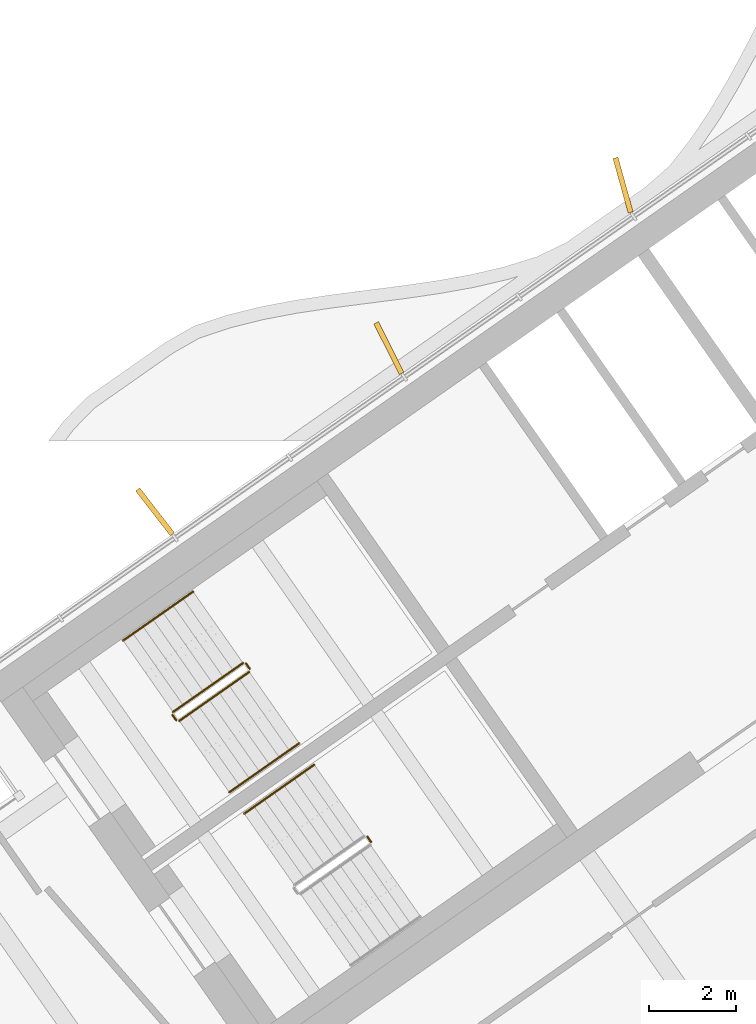
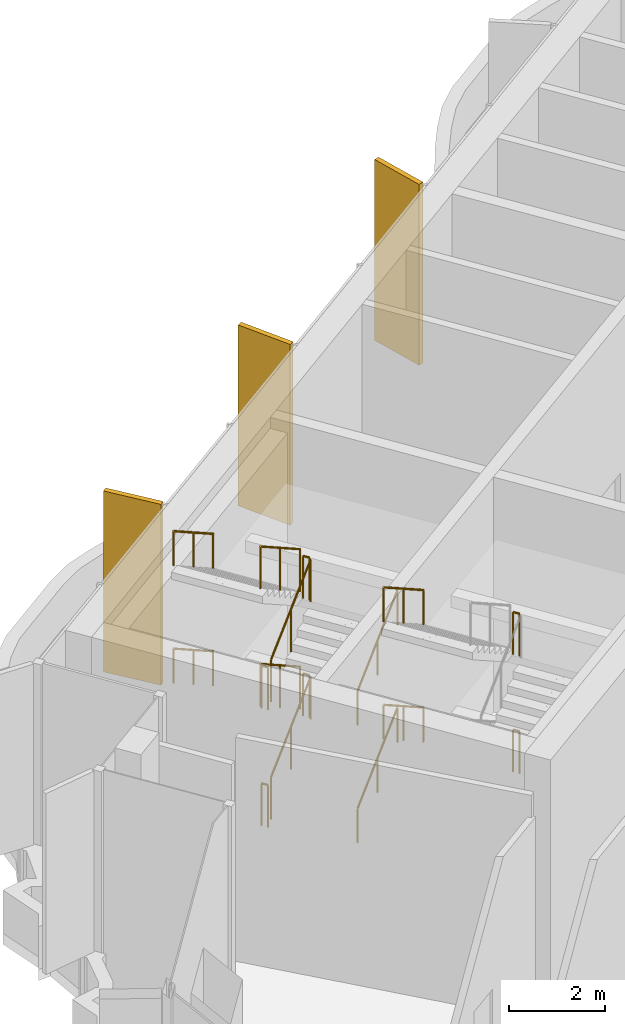
# One storey, part 15 of 18: 16 railings, 3 shading devices.
"""IFC4 building model written with IfcOpenShell, lengths in metres."""

from ifc_helpers import new_model, si_unit, direction, frame, origin, origin_2d, place, context, subcontext, project, spatial, rectangle, circle, extrude, material, layer, layer_set, type_object, element, save


model = new_model("IFC4")

# Units and contexts
model_context = context("Model", 3, precision=1e-05, world=origin(), true_north=direction((0.0, 1.0)))
body_context = subcontext(model_context, "Body", "Model", "MODEL_VIEW")
ifc_project = project(units=[si_unit("LENGTHUNIT", "METRE"), si_unit("AREAUNIT", "SQUARE_METRE"), si_unit("VOLUMEUNIT", "CUBIC_METRE"), si_unit("PLANEANGLEUNIT", "RADIAN"), si_unit("MASSUNIT", "GRAM", prefix="KILO")], contexts=[model_context])

# Site, building, storey
site_placement = place(None, origin())
site = spatial("IfcSite", under=ifc_project, at=site_placement, CompositionType="ELEMENT")
building_placement = place(site_placement, origin())
building = spatial("IfcBuilding", under=site, at=building_placement, Name="Tel Ilan Convention Tower", CompositionType="ELEMENT")
storey_placement = place(building_placement, frame((0.0, 0.0, 307.300048828125)))
storey = spatial("IfcBuildingStorey", under=building, at=storey_placement, Name="L73", CompositionType="ELEMENT", Elevation=307.300048828125)

# Shading devices
ifc_material_1 = material(Name="Aluminium, bronze anodised", Category="aluminium")
ifc_layer = layer(ifc_material_1, 0.1201171875)
ifc_layer_set = layer_set([ifc_layer], Name="FIN BRONZE 1300x120")
shading_device_type = type_object("IfcShadingDeviceType", Name="FIN BRONZE 1300x120", PredefinedType="USERDEFINED", material=ifc_layer_set)
for number, where, z_axis, x_axis, name in (
    (1, (-13.3486328125, 4.243408203125, 1.099853515625), (0.0, 0.0, 1.0), (-0.268172612768, 0.963370878614, 0.0), "FIN"),
    (2, (-18.724853515625, 0.501953125, 1.099853515625), (0.0, 0.0, 1.0), (-0.448799180206, 0.893632640321, 0.0), "FIN"),
    (3, (-24.09326171875, -3.256591796875, 1.099853515625), (0.0, 0.0, 1.0), (-0.612600545196, 0.790392669516, 0.0), "FIN"),
):
    element("IfcShadingDevice", number, at=place(storey_placement, frame(where, z_axis=z_axis, x_axis=x_axis)), inside=storey, type_object=shading_device_type, Name=name, ObjectType="FIN", PredefinedType="USERDEFINED", context=body_context, shape_type="SweptSolid", body=[
        extrude(rectangle(XDim=1.300048828125, YDim=0.1201171875, at=origin_2d()), origin(), (0.0, 0.0, 1.0), 4.6201171875),
    ])

# Railings
ifc_material_2 = material(Name="Stainless Steel Grade 316", Category="steel")
railing_type_1 = type_object("IfcRailingType", Name="Stainless Steel Stair Guard 1100 mm", PredefinedType="GUARDRAIL", material=ifc_material_2)
railing_1_placement = place(storey_placement, frame((-23.535400390625, -8.056396484375, 0.1875)))
element("IfcRailing", 4, at=railing_1_placement, inside=storey, type_object=railing_type_1, Name="L73 S1 stair guard 1", PredefinedType="GUARDRAIL", context=body_context, shape_type="SweptSolid", body=[
    extrude(circle(Radius=0.02392578125, at=origin_2d()), frame((0.0, 0.0, 1.076171875), z_axis=(0.680615610069, 0.476617226942, 0.556415681224), x_axis=(-0.573612813533, 0.819126571508, 0.0)), (0.0, 0.0, 1.0), 2.35888671875),
    extrude(circle(Radius=0.02099609375, at=origin_2d()), origin(), (0.0, 0.0, 1.0), 1.052001953125),
    extrude(circle(Radius=0.02099609375, at=origin_2d()), frame((0.802734375, 0.56201171875, 0.65625)), (0.0, 0.0, 1.0), 1.052001953125),
    extrude(circle(Radius=0.02099609375, at=origin_2d()), frame((1.60546875, 1.124267578125, 1.3125)), (0.0, 0.0, 1.0), 1.052001953125),
])
railing_2_placement = place(storey_placement, frame((-21.91748046875, -6.862548828125, 1.5)))
element("IfcRailing", 5, at=railing_2_placement, inside=storey, type_object=railing_type_1, Name="L73 S1 stair guard 2", PredefinedType="GUARDRAIL", context=body_context, shape_type="SweptSolid", body=[
    extrude(circle(Radius=0.02392578125, at=origin_2d()), frame((0.0, 0.0, 1.076171875), z_axis=(-0.57368046593, 0.819079192149, 0.0), x_axis=(-0.819079192149, -0.57368046593, 0.0)), (0.0, 0.0, 1.0), 0.150146484375),
    extrude(circle(Radius=0.02099609375, at=origin_2d()), origin(), (0.0, 0.0, 1.0), 1.052001953125),
    extrude(circle(Radius=0.02099609375, at=origin_2d()), frame((-0.086181640625, 0.123046875, 0.0)), (0.0, 0.0, 1.0), 1.052001953125),
])
railing_3_placement = place(storey_placement, frame((-22.0732421875, -6.727294921875, 1.6875)))
element("IfcRailing", 6, at=railing_3_placement, inside=storey, type_object=railing_type_1, Name="L73 S1 stair guard 3", PredefinedType="GUARDRAIL", context=body_context, shape_type="SweptSolid", body=[
    extrude(circle(Radius=0.02392578125, at=origin_2d()), frame((0.0, 0.0, 1.076171875), z_axis=(-0.680615610069, -0.476617226942, 0.556415681224), x_axis=(0.573612813533, -0.819126571508, 0.0)), (0.0, 0.0, 1.0), 2.35888671875),
    extrude(circle(Radius=0.02099609375, at=origin_2d()), origin(), (0.0, 0.0, 1.0), 1.052001953125),
    extrude(circle(Radius=0.02099609375, at=origin_2d()), frame((-0.802734375, -0.56201171875, 0.65625)), (0.0, 0.0, 1.0), 1.052001953125),
    extrude(circle(Radius=0.02099609375, at=origin_2d()), frame((-1.60546875, -1.124267578125, 1.3125)), (0.0, 0.0, 1.0), 1.052001953125),
])
railing_4_placement = place(storey_placement, frame((-23.60498046875, -8.0439453125, 3.0)))
element("IfcRailing", 7, at=railing_4_placement, inside=storey, type_object=railing_type_1, Name="L73 S1 stair guard 4", PredefinedType="GUARDRAIL", context=body_context, shape_type="SweptSolid", body=[
    extrude(circle(Radius=0.02392578125, at=origin_2d()), frame((0.0, 0.0, 1.076171875), z_axis=(-0.574444878118, 0.818543268254, 0.0), x_axis=(-0.818543268254, -0.574444878118, 0.0)), (0.0, 0.0, 1.0), 0.150146484375),
    extrude(circle(Radius=0.02099609375, at=origin_2d()), origin(), (0.0, 0.0, 1.0), 1.052001953125),
    extrude(circle(Radius=0.02099609375, at=origin_2d()), frame((-0.086181640625, 0.122802734375, 0.0)), (0.0, 0.0, 1.0), 1.052001953125),
])
railing_5_placement = place(storey_placement, frame((-23.535400390625, -8.056396484375, 3.1875)))
element("IfcRailing", 8, at=railing_5_placement, inside=storey, type_object=railing_type_1, Name="L73 S1 stair guard 5", PredefinedType="GUARDRAIL", context=body_context, shape_type="SweptSolid", body=[
    extrude(circle(Radius=0.02392578125, at=origin_2d()), frame((0.0, 0.0, 1.076171875), z_axis=(0.680615610069, 0.476617226942, 0.556415681224), x_axis=(-0.573612813533, 0.819126571508, 0.0)), (0.0, 0.0, 1.0), 2.35888671875),
    extrude(circle(Radius=0.02099609375, at=origin_2d()), origin(), (0.0, 0.0, 1.0), 1.052001953125),
    extrude(circle(Radius=0.02099609375, at=origin_2d()), frame((0.802734375, 0.56201171875, 0.65625)), (0.0, 0.0, 1.0), 1.052001953125),
    extrude(circle(Radius=0.02099609375, at=origin_2d()), frame((1.60546875, 1.124267578125, 1.3125)), (0.0, 0.0, 1.0), 1.052001953125),
])
railing_6_placement = place(storey_placement, frame((-21.91748046875, -6.862548828125, 4.5)))
element("IfcRailing", 9, at=railing_6_placement, inside=storey, type_object=railing_type_1, Name="L73 S1 stair guard 6", PredefinedType="GUARDRAIL", context=body_context, shape_type="SweptSolid", body=[
    extrude(circle(Radius=0.02392578125, at=origin_2d()), frame((0.0, 0.0, 1.076171875), z_axis=(-0.57368046593, 0.819079192149, 0.0), x_axis=(-0.819079192149, -0.57368046593, 0.0)), (0.0, 0.0, 1.0), 0.150146484375),
    extrude(circle(Radius=0.02099609375, at=origin_2d()), origin(), (0.0, 0.0, 1.0), 1.052001953125),
    extrude(circle(Radius=0.02099609375, at=origin_2d()), frame((-0.086181640625, 0.123046875, 0.0)), (0.0, 0.0, 1.0), 1.052001953125),
])
railing_7_placement = place(storey_placement, frame((-22.0732421875, -6.727294921875, 4.6875)))
element("IfcRailing", 10, at=railing_7_placement, inside=storey, type_object=railing_type_1, Name="L73 S1 stair guard 7", PredefinedType="GUARDRAIL", context=body_context, shape_type="SweptSolid", body=[
    extrude(circle(Radius=0.02392578125, at=origin_2d()), frame((0.0, 0.0, 1.076171875), z_axis=(-0.680615610069, -0.476617226942, 0.556415681224), x_axis=(0.573612813533, -0.819126571508, 0.0)), (0.0, 0.0, 1.0), 2.35888671875),
    extrude(circle(Radius=0.02099609375, at=origin_2d()), origin(), (0.0, 0.0, 1.0), 1.052001953125),
    extrude(circle(Radius=0.02099609375, at=origin_2d()), frame((-0.802734375, -0.56201171875, 0.65625)), (0.0, 0.0, 1.0), 1.052001953125),
    extrude(circle(Radius=0.02099609375, at=origin_2d()), frame((-1.60546875, -1.124267578125, 1.3125)), (0.0, 0.0, 1.0), 1.052001953125),
])
railing_8_placement = place(storey_placement, frame((-23.60498046875, -8.0439453125, 0.0)))
element("IfcRailing", 11, at=railing_8_placement, inside=storey, type_object=railing_type_1, Name="L73 S1 stair guard 8", PredefinedType="GUARDRAIL", context=body_context, shape_type="SweptSolid", body=[
    extrude(circle(Radius=0.02392578125, at=origin_2d()), frame((0.0, 0.0, 1.076171875), z_axis=(-0.574444878118, 0.818543268254, 0.0), x_axis=(-0.818543268254, -0.574444878118, 0.0)), (0.0, 0.0, 1.0), 0.150146484375),
    extrude(circle(Radius=0.02099609375, at=origin_2d()), origin(), (0.0, 0.0, 1.0), 1.052001953125),
    extrude(circle(Radius=0.02099609375, at=origin_2d()), frame((-0.086181640625, 0.122802734375, 0.0)), (0.0, 0.0, 1.0), 1.052001953125),
])
for number, where, name in (
    (12, (-19.1357421875, -10.83544921875, 1.5), "L73 S2 stair guard 2"),
    (13, (-19.1357421875, -10.83544921875, 4.5), "L73 S2 stair guard 6"),
):
    element("IfcRailing", number, at=place(storey_placement, frame(where)), inside=storey, type_object=railing_type_1, Name=name, PredefinedType="GUARDRAIL", context=body_context, shape_type="SweptSolid", body=[
        extrude(circle(Radius=0.02392578125, at=origin_2d()), frame((0.0, 0.0, 1.076171875), z_axis=(-0.572588637393, 0.819842821722, 0.0), x_axis=(-0.819842821722, -0.572588637393, 0.0)), (0.0, 0.0, 1.0), 0.150146484375),
        extrude(circle(Radius=0.02099609375, at=origin_2d()), origin(), (0.0, 0.0, 1.0), 1.052001953125),
        extrude(circle(Radius=0.02099609375, at=origin_2d()), frame((-0.0859375, 0.123046875, 0.0)), (0.0, 0.0, 1.0), 1.052001953125),
    ])
ifc_material_3 = material(Name="Stainless Steel Grade 316", Category="steel")
railing_type_2 = type_object("IfcRailingType", Name="Stainless Steel Stair Handrail 900 mm", PredefinedType="HANDRAIL", material=ifc_material_3)
railing_9_placement = place(storey_placement, frame((-22.38818359375, -9.694580078125, 0.1875)))
element("IfcRailing", 14, at=railing_9_placement, inside=storey, type_object=railing_type_2, Name="L73 S1 stair handrail 1", PredefinedType="HANDRAIL", context=body_context, shape_type="SweptSolid", body=[
    extrude(circle(Radius=0.02392578125, at=origin_2d()), frame((0.0, 0.0, 0.8759765625), z_axis=(0.680615610069, 0.476617226942, 0.556415681224), x_axis=(-0.573612813533, 0.819126571508, 0.0)), (0.0, 0.0, 1.0), 2.35888671875),
    extrude(circle(Radius=0.02099609375, at=origin_2d()), origin(), (0.0, 0.0, 1.0), 0.851806640625),
    extrude(circle(Radius=0.02099609375, at=origin_2d()), frame((0.802734375, 0.56201171875, 0.65625)), (0.0, 0.0, 1.0), 0.851806640625),
    extrude(circle(Radius=0.02099609375, at=origin_2d()), frame((1.60546875, 1.124267578125, 1.3125)), (0.0, 0.0, 1.0), 0.851806640625),
])
railing_10_placement = place(storey_placement, frame((-23.220458984375, -5.089111328125, 1.6875)))
element("IfcRailing", 15, at=railing_10_placement, inside=storey, type_object=railing_type_2, Name="L73 S1 stair handrail 2", PredefinedType="HANDRAIL", context=body_context, shape_type="SweptSolid", body=[
    extrude(circle(Radius=0.02392578125, at=origin_2d()), frame((0.0, 0.0, 0.8759765625), z_axis=(-0.680649183577, -0.476537232541, 0.55644312818), x_axis=(0.573529226717, -0.819185098803, 0.0)), (0.0, 0.0, 1.0), 2.358642578125),
    extrude(circle(Radius=0.02099609375, at=origin_2d()), origin(), (0.0, 0.0, 1.0), 0.851806640625),
    extrude(circle(Radius=0.02099609375, at=origin_2d()), frame((-0.802734375, -0.56201171875, 0.65625)), (0.0, 0.0, 1.0), 0.851806640625),
    extrude(circle(Radius=0.02099609375, at=origin_2d()), frame((-1.60546875, -1.1240234375, 1.3125)), (0.0, 0.0, 1.0), 0.851806640625),
])
railing_11_placement = place(storey_placement, frame((-22.38818359375, -9.694580078125, 3.1875)))
element("IfcRailing", 16, at=railing_11_placement, inside=storey, type_object=railing_type_2, Name="L73 S1 stair handrail 3", PredefinedType="HANDRAIL", context=body_context, shape_type="SweptSolid", body=[
    extrude(circle(Radius=0.02392578125, at=origin_2d()), frame((0.0, 0.0, 0.8759765625), z_axis=(0.680615610069, 0.476617226942, 0.556415681224), x_axis=(-0.573612813533, 0.819126571508, 0.0)), (0.0, 0.0, 1.0), 2.35888671875),
    extrude(circle(Radius=0.02099609375, at=origin_2d()), origin(), (0.0, 0.0, 1.0), 0.851806640625),
    extrude(circle(Radius=0.02099609375, at=origin_2d()), frame((0.802734375, 0.56201171875, 0.65625)), (0.0, 0.0, 1.0), 0.851806640625),
    extrude(circle(Radius=0.02099609375, at=origin_2d()), frame((1.60546875, 1.124267578125, 1.3125)), (0.0, 0.0, 1.0), 0.851806640625),
])
railing_12_placement = place(storey_placement, frame((-23.220458984375, -5.089111328125, 4.6875)))
element("IfcRailing", 17, at=railing_12_placement, inside=storey, type_object=railing_type_2, Name="L73 S1 stair handrail 4", PredefinedType="HANDRAIL", context=body_context, shape_type="SweptSolid", body=[
    extrude(circle(Radius=0.02392578125, at=origin_2d()), frame((0.0, 0.0, 0.8759765625), z_axis=(-0.680649183577, -0.476537232541, 0.55644312818), x_axis=(0.573529226717, -0.819185098803, 0.0)), (0.0, 0.0, 1.0), 2.358642578125),
    extrude(circle(Radius=0.02099609375, at=origin_2d()), origin(), (0.0, 0.0, 1.0), 0.851806640625),
    extrude(circle(Radius=0.02099609375, at=origin_2d()), frame((-0.802734375, -0.56201171875, 0.65625)), (0.0, 0.0, 1.0), 0.851806640625),
    extrude(circle(Radius=0.02099609375, at=origin_2d()), frame((-1.60546875, -1.1240234375, 1.3125)), (0.0, 0.0, 1.0), 0.851806640625),
])
for number, where, name in (
    (18, (-20.4384765625, -9.06201171875, 1.6875), "L73 S2 stair handrail 2"),
    (19, (-20.4384765625, -9.06201171875, 4.6875), "L73 S2 stair handrail 4"),
):
    element("IfcRailing", number, at=place(storey_placement, frame(where)), inside=storey, type_object=railing_type_2, Name=name, PredefinedType="HANDRAIL", context=body_context, shape_type="SweptSolid", body=[
        extrude(circle(Radius=0.02392578125, at=origin_2d()), frame((0.0, 0.0, 0.8759765625), z_axis=(-0.680704730592, -0.47650366119, 0.556403927576), x_axis=(0.573470704013, -0.8192260687, 0.0)), (0.0, 0.0, 1.0), 2.35888671875),
        extrude(circle(Radius=0.02099609375, at=origin_2d()), origin(), (0.0, 0.0, 1.0), 0.851806640625),
        extrude(circle(Radius=0.02099609375, at=origin_2d()), frame((-0.802734375, -0.56201171875, 0.65625)), (0.0, 0.0, 1.0), 0.851806640625),
        extrude(circle(Radius=0.02099609375, at=origin_2d()), frame((-1.605712890625, -1.1240234375, 1.3125)), (0.0, 0.0, 1.0), 0.851806640625),
    ])

save(model, "model.ifc")
